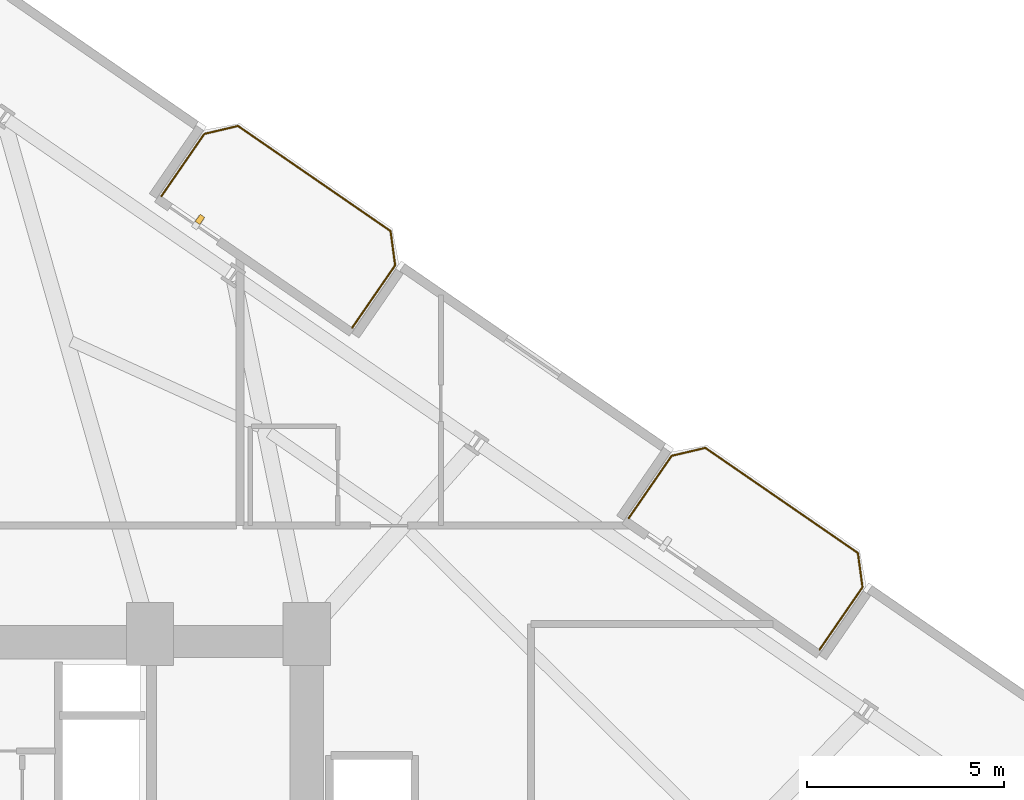
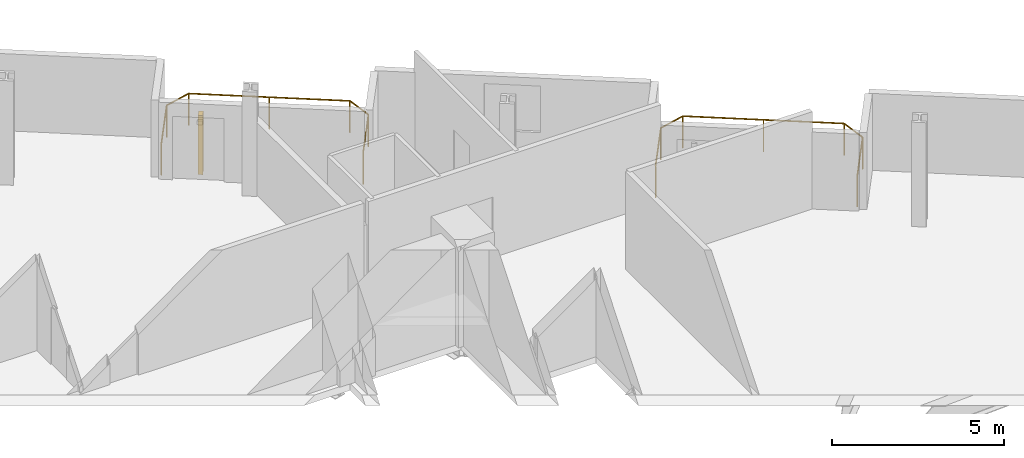
# One storey, part 25 of 25: 2 railings, 1 shading device.
"""IFC4 building model written with IfcOpenShell, lengths in metres."""

from ifc_helpers import new_model, si_unit, direction, frame, origin, origin_2d, place, context, subcontext, project, spatial, rectangle, circle, extrude, source, transform, mapped, material, type_object, element, save


model = new_model("IFC4")

# Units and contexts
model_context = context("Model", 3, precision=1e-05, world=origin(), true_north=direction((0.0, 1.0)))
body_context = subcontext(model_context, "Body", "Model", "MODEL_VIEW")
ifc_project = project(units=[si_unit("LENGTHUNIT", "METRE"), si_unit("AREAUNIT", "SQUARE_METRE"), si_unit("VOLUMEUNIT", "CUBIC_METRE"), si_unit("PLANEANGLEUNIT", "RADIAN"), si_unit("MASSUNIT", "GRAM", prefix="KILO")], contexts=[model_context])

# Site, building, storey
site_placement = place(None, origin())
site = spatial("IfcSite", under=ifc_project, at=site_placement, CompositionType="ELEMENT")
building_placement = place(site_placement, origin())
building = spatial("IfcBuilding", under=site, at=building_placement, Name="Varnelok Gate Tower", CompositionType="ELEMENT")
storey_placement = place(building_placement, frame((0.0, 0.0, 52.89990234375)))
storey = spatial("IfcBuildingStorey", under=building, at=storey_placement, Name="L12", CompositionType="ELEMENT", Elevation=52.89990234375)

# Railings
ifc_material_1 = material(Name="Low-E Laminated Double Glazing IGU", Category="glass")
railing_type = type_object("IfcRailingType", Name="RL-BALC-1150", PredefinedType="BALUSTRADE", material=ifc_material_1)
railing_1_placement = place(storey_placement, frame((44.010009765625, 50.158203125, 0.0)))
element("IfcRailing", 1, at=railing_1_placement, inside=storey, type_object=railing_type, Name="L12 North Terrace Balustrade 3", PredefinedType="BALUSTRADE", context=body_context, shape_type="SweptSolid", body=[
    extrude(circle(Radius=0.02392578125, at=origin_2d()), frame((0.0, 0.0, 1.1259765625), z_axis=(0.567284155424, 0.82352212296, 0.0), x_axis=(-0.82352212296, 0.567284155424, 0.0)), (0.0, 0.0, 1.0), 1.919921875),
    extrude(circle(Radius=0.02392578125, at=origin_2d()), frame((1.089111328125, 1.5810546875, 1.1259765625), z_axis=(0.973526462254, 0.228574336467, 0.0), x_axis=(-0.228574336467, 0.973526462254, 0.0)), (0.0, 0.0, 1.0), 0.8779296875),
    extrude(circle(Radius=0.02392578125, at=origin_2d()), frame((1.94384765625, 1.78173828125, 1.1259765625), z_axis=(0.823523239622, -0.567282534371, 0.0), x_axis=(0.567282534371, 0.823523239622, 0.0)), (0.0, 0.0, 1.0), 4.699951171875),
    extrude(circle(Radius=0.02392578125, at=origin_2d()), frame((5.814453125, -0.884521484375, 1.1259765625), z_axis=(0.133238627421, -0.991083986433, 0.0), x_axis=(0.991083986433, 0.133238627421, 0.0)), (0.0, 0.0, 1.0), 0.877685546875),
    extrude(circle(Radius=0.02392578125, at=origin_2d()), frame((5.931396484375, -1.75439453125, 1.1259765625), z_axis=(-0.567224752248, -0.823563039747, 0.0), x_axis=(0.823563039747, -0.567224752248, 0.0)), (0.0, 0.0, 1.0), 1.920166015625),
    extrude(circle(Radius=0.02099609375, at=origin_2d()), origin(), (0.0, 0.0, 1.0), 1.101806640625),
    extrude(circle(Radius=0.02099609375, at=origin_2d()), frame((1.089111328125, 1.5810546875, 0.0)), (0.0, 0.0, 1.0), 1.101806640625),
    extrude(circle(Radius=0.02099609375, at=origin_2d()), frame((1.94384765625, 1.78173828125, 0.0)), (0.0, 0.0, 1.0), 1.101806640625),
    extrude(circle(Radius=0.02099609375, at=origin_2d()), frame((3.879150390625, 0.44873046875, 0.0)), (0.0, 0.0, 1.0), 1.101806640625),
    extrude(circle(Radius=0.02099609375, at=origin_2d()), frame((5.814453125, -0.884521484375, 0.0)), (0.0, 0.0, 1.0), 1.101806640625),
    extrude(circle(Radius=0.02099609375, at=origin_2d()), frame((5.931396484375, -1.75439453125, 0.0)), (0.0, 0.0, 1.0), 1.101806640625),
    extrude(circle(Radius=0.02099609375, at=origin_2d()), frame((4.84228515625, -3.335693359375, 0.0)), (0.0, 0.0, 1.0), 1.101806640625),
])
railing_2_placement = place(storey_placement, frame((55.868896484375, 41.989501953125, 0.0)))
element("IfcRailing", 2, at=railing_2_placement, inside=storey, type_object=railing_type, Name="L12 North Terrace Balustrade 4", PredefinedType="BALUSTRADE", context=body_context, shape_type="SweptSolid", body=[
    extrude(circle(Radius=0.02392578125, at=origin_2d()), frame((0.0, 0.0, 1.1259765625), z_axis=(0.567284155424, 0.82352212296, 0.0), x_axis=(-0.82352212296, 0.567284155424, 0.0)), (0.0, 0.0, 1.0), 1.919921875),
    extrude(circle(Radius=0.02392578125, at=origin_2d()), frame((1.089111328125, 1.5810546875, 1.1259765625), z_axis=(0.973526462254, 0.228574336467, 0.0), x_axis=(-0.228574336467, 0.973526462254, 0.0)), (0.0, 0.0, 1.0), 0.8779296875),
    extrude(circle(Radius=0.02392578125, at=origin_2d()), frame((1.94384765625, 1.78173828125, 1.1259765625), z_axis=(0.823523239622, -0.567282534371, 0.0), x_axis=(0.567282534371, 0.823523239622, 0.0)), (0.0, 0.0, 1.0), 4.699951171875),
    extrude(circle(Radius=0.02392578125, at=origin_2d()), frame((5.814453125, -0.884521484375, 1.1259765625), z_axis=(0.133238627421, -0.991083986433, 0.0), x_axis=(0.991083986433, 0.133238627421, 0.0)), (0.0, 0.0, 1.0), 0.877685546875),
    extrude(circle(Radius=0.02392578125, at=origin_2d()), frame((5.931396484375, -1.75439453125, 1.1259765625), z_axis=(-0.567224752248, -0.823563039747, 0.0), x_axis=(0.823563039747, -0.567224752248, 0.0)), (0.0, 0.0, 1.0), 1.920166015625),
    extrude(circle(Radius=0.02099609375, at=origin_2d()), origin(), (0.0, 0.0, 1.0), 1.101806640625),
    extrude(circle(Radius=0.02099609375, at=origin_2d()), frame((1.089111328125, 1.5810546875, 0.0)), (0.0, 0.0, 1.0), 1.101806640625),
    extrude(circle(Radius=0.02099609375, at=origin_2d()), frame((1.94384765625, 1.78173828125, 0.0)), (0.0, 0.0, 1.0), 1.101806640625),
    extrude(circle(Radius=0.02099609375, at=origin_2d()), frame((3.879150390625, 0.44873046875, 0.0)), (0.0, 0.0, 1.0), 1.101806640625),
    extrude(circle(Radius=0.02099609375, at=origin_2d()), frame((5.814453125, -0.884521484375, 0.0)), (0.0, 0.0, 1.0), 1.101806640625),
    extrude(circle(Radius=0.02099609375, at=origin_2d()), frame((5.931396484375, -1.75439453125, 0.0)), (0.0, 0.0, 1.0), 1.101806640625),
    extrude(circle(Radius=0.02099609375, at=origin_2d()), frame((4.84228515625, -3.335693359375, 0.0)), (0.0, 0.0, 1.0), 1.101806640625),
])

# Shading device
ifc_material_2 = material(Name="Glazed Architectural Terracotta Ceramic", Category="masonry")
shading_device_type = type_object("IfcShadingDeviceType", Name="SHD-TERRA-BAGUETTE", PredefinedType="USERDEFINED", material=ifc_material_2)
shared_shape = source(origin(), body_context, "Body", "SweptSolid", [
    extrude(rectangle(XDim=0.139892578125, YDim=0.219970703125, at=origin_2d()), origin(), (0.0, 0.0, 1.0), 2.10009765625),
])
shading_device_placement = place(storey_placement, frame((44.988525390625, 49.569091796875, 0.10009765625), z_axis=(0.0, 0.0, 1.0), x_axis=(0.823532597628, -0.567268949127, 0.0)))
element("IfcShadingDevice", 3, at=shading_device_placement, inside=storey, type_object=shading_device_type, Name="L12 Terracotta Ceramic Baguette Sunscreen 3.1", ObjectType="BAGUETTE", PredefinedType="USERDEFINED", context=body_context, shape_type="MappedRepresentation", body=[
    mapped(shared_shape, transform((0.0, 0.0, 0.0), scale=1.0)),
])

save(model, "model.ifc")
